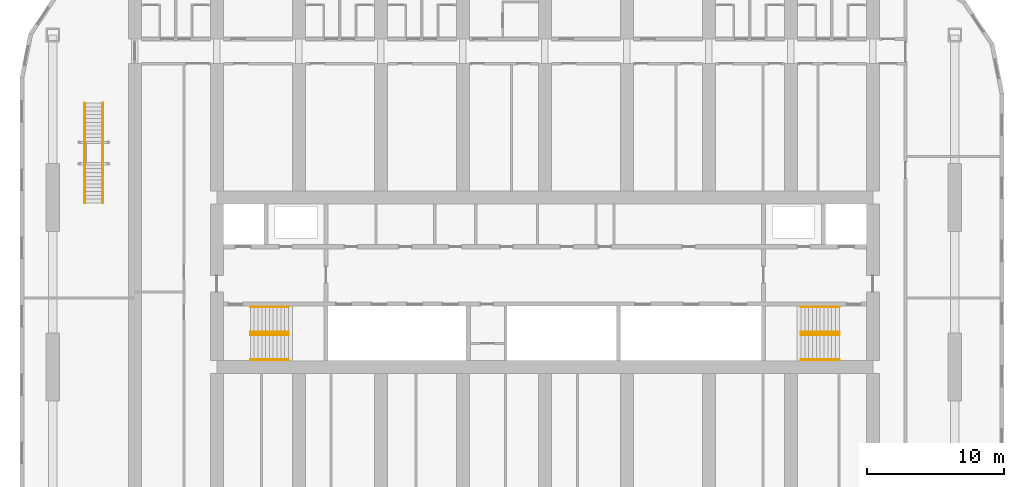
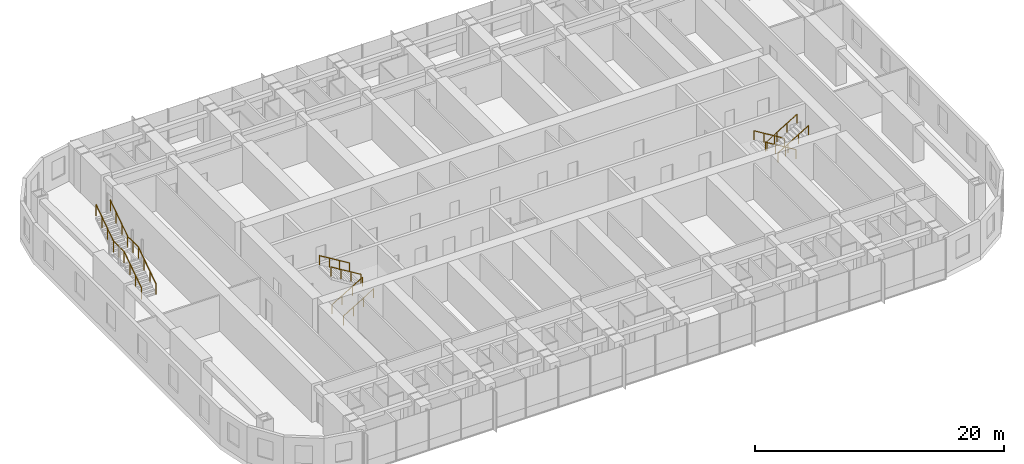
# One storey, part 25 of 25: 10 railings.
"""IFC4 building model written with IfcOpenShell, lengths in metres."""

from ifc_helpers import new_model, si_unit, direction, frame, origin, origin_2d, place, context, subcontext, project, spatial, circle, extrude, material, type_object, element, save


model = new_model("IFC4")

# Units and contexts
model_context = context("Model", 3, precision=1e-05, world=origin(), true_north=direction((0.0, 1.0)))
body_context = subcontext(model_context, "Body", "Model", "MODEL_VIEW")
ifc_project = project(units=[si_unit("LENGTHUNIT", "METRE"), si_unit("AREAUNIT", "SQUARE_METRE"), si_unit("VOLUMEUNIT", "CUBIC_METRE"), si_unit("PLANEANGLEUNIT", "RADIAN"), si_unit("MASSUNIT", "GRAM", prefix="KILO")], contexts=[model_context])

# Site, building, storey
site_placement = place(None, origin())
site = spatial("IfcSite", under=ifc_project, at=site_placement, CompositionType="ELEMENT")
building_placement = place(site_placement, origin())
building = spatial("IfcBuilding", under=site, at=building_placement, Name="Orbita Commons", CompositionType="ELEMENT")
storey_placement = place(building_placement, frame((0.0, 0.0, 84.39990234375)))
storey = spatial("IfcBuildingStorey", under=building, at=storey_placement, Name="L20", CompositionType="ELEMENT", Elevation=84.39990234375)

# Railings
ifc_material_1 = material(Name="Laminated glass, steel handrail", Category="steel")
railing_type_1 = type_object("IfcRailingType", Name="Feature stair balustrade, glass on steel stringer 1100", PredefinedType="BALUSTRADE", material=ifc_material_1)
for number, where, name in (
    (1, (8.340087890625, 37.800048828125, 0.0), "Neighbourhood stair L20 to L21 balustrade L"),
    (2, (9.659912109375, 37.800048828125, 0.0), "Neighbourhood stair L20 to L21 balustrade R"),
):
    element("IfcRailing", number, at=place(storey_placement, frame(where)), inside=storey, type_object=railing_type_1, Name=name, PredefinedType="BALUSTRADE", context=body_context, shape_type="SweptSolid", body=[
        extrude(circle(Radius=0.02490234375, at=origin_2d()), frame((0.0, 0.0, 1.0751953125), z_axis=(0.0, 0.830911662861, 0.55640435703), x_axis=(-1.0, 0.0, 0.0)), (0.0, 0.0, 1.0), 3.369873046875),
        extrude(circle(Radius=0.02490234375, at=origin_2d()), frame((0.0, 2.800048828125, 2.9501953125), z_axis=(0.0, 1.0, 0.0), x_axis=(-1.0, 0.0, 0.0)), (0.0, 0.0, 1.0), 1.7099609375),
        extrude(circle(Radius=0.02490234375, at=origin_2d()), frame((0.0, 4.510009765625, 2.9501953125), z_axis=(0.0, 0.830911662861, 0.55640435703), x_axis=(-1.0, 0.0, 0.0)), (0.0, 0.0, 1.0), 3.369873046875),
        extrude(circle(Radius=0.02001953125, at=origin_2d()), origin(), (0.0, 0.0, 1.0), 1.050048828125),
        extrude(circle(Radius=0.02001953125, at=origin_2d()), frame((0.0, 0.933349609375, 0.625)), (0.0, 0.0, 1.0), 1.050048828125),
        extrude(circle(Radius=0.02001953125, at=origin_2d()), frame((0.0, 1.86669921875, 1.25)), (0.0, 0.0, 1.0), 1.050048828125),
        extrude(circle(Radius=0.02001953125, at=origin_2d()), frame((0.0, 2.800048828125, 1.875)), (0.0, 0.0, 1.0), 1.050048828125),
        extrude(circle(Radius=0.02001953125, at=origin_2d()), frame((0.0, 3.655029296875, 1.875)), (0.0, 0.0, 1.0), 1.050048828125),
        extrude(circle(Radius=0.02001953125, at=origin_2d()), frame((0.0, 4.510009765625, 1.875)), (0.0, 0.0, 1.0), 1.050048828125),
        extrude(circle(Radius=0.02001953125, at=origin_2d()), frame((0.0, 5.443359375, 2.5)), (0.0, 0.0, 1.0), 1.050048828125),
        extrude(circle(Radius=0.02001953125, at=origin_2d()), frame((0.0, 6.376708984375, 3.125)), (0.0, 0.0, 1.0), 1.050048828125),
        extrude(circle(Radius=0.02001953125, at=origin_2d()), frame((0.0, 7.31005859375, 3.75)), (0.0, 0.0, 1.0), 1.050048828125),
    ])
ifc_material_2 = material(Name="Steel tube, painted", Category="steel")
railing_type_2 = type_object("IfcRailingType", Name="Stair handrail steel tube 900", PredefinedType="HANDRAIL", material=ifc_material_2)
for number, where, name in (
    (3, (20.449951171875, 28.1650390625, 0.170654296875), "Stair S1 handrail L20 flight 1"),
    (4, (20.449951171875, 26.3349609375, 0.170654296875), "Stair S1 handrail L20 flight 1"),
):
    element("IfcRailing", number, at=place(storey_placement, frame(where)), inside=storey, type_object=railing_type_2, Name=name, PredefinedType="HANDRAIL", context=body_context, shape_type="SweptSolid", body=[
        extrude(circle(Radius=0.02099609375, at=origin_2d()), frame((0.0, 0.0, 0.87890625), z_axis=(0.854202870247, 0.0, 0.519939858505), x_axis=(0.0, 1.0, 0.0)), (0.0, 0.0, 1.0), 3.278076171875),
        extrude(circle(Radius=0.02001953125, at=origin_2d()), origin(), (0.0, 0.0, 1.0), 0.85791015625),
        extrude(circle(Radius=0.02001953125, at=origin_2d()), frame((0.933349609375, 0.0, 0.568115234375)), (0.0, 0.0, 1.0), 0.85791015625),
        extrude(circle(Radius=0.02001953125, at=origin_2d()), frame((1.86669921875, 0.0, 1.13623046875)), (0.0, 0.0, 1.0), 0.85791015625),
        extrude(circle(Radius=0.02001953125, at=origin_2d()), frame((2.800048828125, 0.0, 1.704345703125)), (0.0, 0.0, 1.0), 0.85791015625),
    ])
for number, where, name in (
    (5, (23.25, 28.360107421875, 2.045654296875), "Stair S1 handrail L20 flight 2"),
    (6, (23.25, 30.18994140625, 2.045654296875), "Stair S1 handrail L20 flight 2"),
    (7, (63.550048828125, 28.360107421875, 0.170654296875), "Stair S2 handrail L20 flight 1"),
    (8, (63.550048828125, 30.18994140625, 0.170654296875), "Stair S2 handrail L20 flight 1"),
):
    element("IfcRailing", number, at=place(storey_placement, frame(where)), inside=storey, type_object=railing_type_2, Name=name, PredefinedType="HANDRAIL", context=body_context, shape_type="SweptSolid", body=[
        extrude(circle(Radius=0.02099609375, at=origin_2d()), frame((0.0, 0.0, 0.87890625), z_axis=(-0.854202870247, 0.0, 0.519939858505), x_axis=(0.0, -1.0, 0.0)), (0.0, 0.0, 1.0), 3.278076171875),
        extrude(circle(Radius=0.02001953125, at=origin_2d()), origin(), (0.0, 0.0, 1.0), 0.85791015625),
        extrude(circle(Radius=0.02001953125, at=origin_2d()), frame((-0.933349609375, 0.0, 0.568115234375)), (0.0, 0.0, 1.0), 0.85791015625),
        extrude(circle(Radius=0.02001953125, at=origin_2d()), frame((-1.86669921875, 0.0, 1.13623046875)), (0.0, 0.0, 1.0), 0.85791015625),
        extrude(circle(Radius=0.02001953125, at=origin_2d()), frame((-2.800048828125, 0.0, 1.704345703125)), (0.0, 0.0, 1.0), 0.85791015625),
    ])
for number, where, name in (
    (9, (60.75, 28.1650390625, 2.045654296875), "Stair S2 handrail L20 flight 2"),
    (10, (60.75, 26.3349609375, 2.045654296875), "Stair S2 handrail L20 flight 2"),
):
    element("IfcRailing", number, at=place(storey_placement, frame(where)), inside=storey, type_object=railing_type_2, Name=name, PredefinedType="HANDRAIL", context=body_context, shape_type="SweptSolid", body=[
        extrude(circle(Radius=0.02099609375, at=origin_2d()), frame((0.0, 0.0, 0.87890625), z_axis=(0.854202870247, 0.0, 0.519939858505), x_axis=(0.0, 1.0, 0.0)), (0.0, 0.0, 1.0), 3.278076171875),
        extrude(circle(Radius=0.02001953125, at=origin_2d()), origin(), (0.0, 0.0, 1.0), 0.85791015625),
        extrude(circle(Radius=0.02001953125, at=origin_2d()), frame((0.933349609375, 0.0, 0.568115234375)), (0.0, 0.0, 1.0), 0.85791015625),
        extrude(circle(Radius=0.02001953125, at=origin_2d()), frame((1.86669921875, 0.0, 1.13623046875)), (0.0, 0.0, 1.0), 0.85791015625),
        extrude(circle(Radius=0.02001953125, at=origin_2d()), frame((2.800048828125, 0.0, 1.704345703125)), (0.0, 0.0, 1.0), 0.85791015625),
    ])

save(model, "model.ifc")
